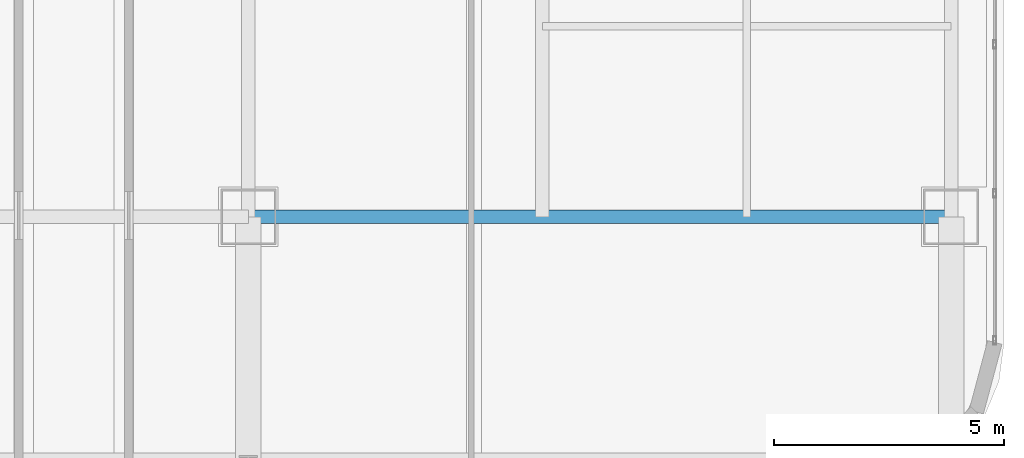
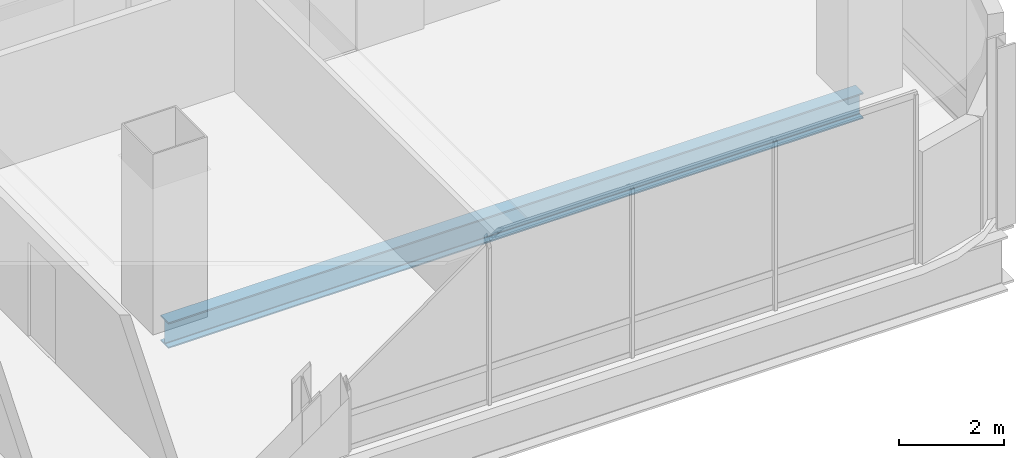
# One storey, part 17 of 46: 1 beam.
"""IFC4 building model written with IfcOpenShell, lengths in metres."""

from ifc_helpers import new_model, si_unit, direction, frame, origin, origin_2d, place, context, subcontext, project, spatial, i_section, extrude, material, material_profile, profile_set, type_object, element, save


model = new_model("IFC4")

# Units and contexts
model_context = context("Model", 3, precision=1e-05, world=origin(), true_north=direction((0.0, 1.0)))
body_context = subcontext(model_context, "Body", "Model", "MODEL_VIEW")
ifc_project = project(units=[si_unit("LENGTHUNIT", "METRE"), si_unit("AREAUNIT", "SQUARE_METRE"), si_unit("VOLUMEUNIT", "CUBIC_METRE"), si_unit("PLANEANGLEUNIT", "RADIAN"), si_unit("MASSUNIT", "GRAM", prefix="KILO")], contexts=[model_context])

# Site, building, storey
site_placement = place(None, origin())
site = spatial("IfcSite", under=ifc_project, at=site_placement, CompositionType="ELEMENT")
building_placement = place(site_placement, origin())
building = spatial("IfcBuilding", under=site, at=building_placement, Name="Punatoya Terracotta Tower", CompositionType="ELEMENT")
storey_placement = place(building_placement, frame((0.0, 0.0, 330.0)))
storey = spatial("IfcBuildingStorey", under=building, at=storey_placement, Name="L78", CompositionType="ELEMENT", Elevation=330.0)

# Beam
ifc_material = material(Name="Steel S355", Category="steel")
ifc_material_profile = material_profile(ifc_material, i_section(OverallWidth=0.300048828125, OverallDepth=0.60009765625, WebThickness=0.015380859375, FlangeThickness=0.030029296875, FilletRadius=0.01806640625, at=origin_2d()))
ifc_profile_set = profile_set([ifc_material_profile], Name="Steel S355")
beam_type = type_object("IfcBeamType", Name="BM-PRI-600", PredefinedType="BEAM", material=ifc_profile_set)
beam_placement = place(storey_placement, frame((3.800048828125, -17.5, -0.5), z_axis=(1.0, 0.0, 0.0), x_axis=(0.0, 1.0, 0.0)))
element("IfcBeam", 1, at=beam_placement, inside=storey, type_object=beam_type, Name="BM-L78-RG-S3", PredefinedType="BEAM", context=body_context, shape_type="SweptSolid", body=[
    extrude(i_section(OverallWidth=0.300048828125, OverallDepth=0.60009765625, WebThickness=0.015380859375, FlangeThickness=0.030029296875, FilletRadius=0.01806640625, at=origin_2d()), origin(), (0.0, 0.0, 1.0), 15.300048828125),
])

save(model, "model.ifc")
